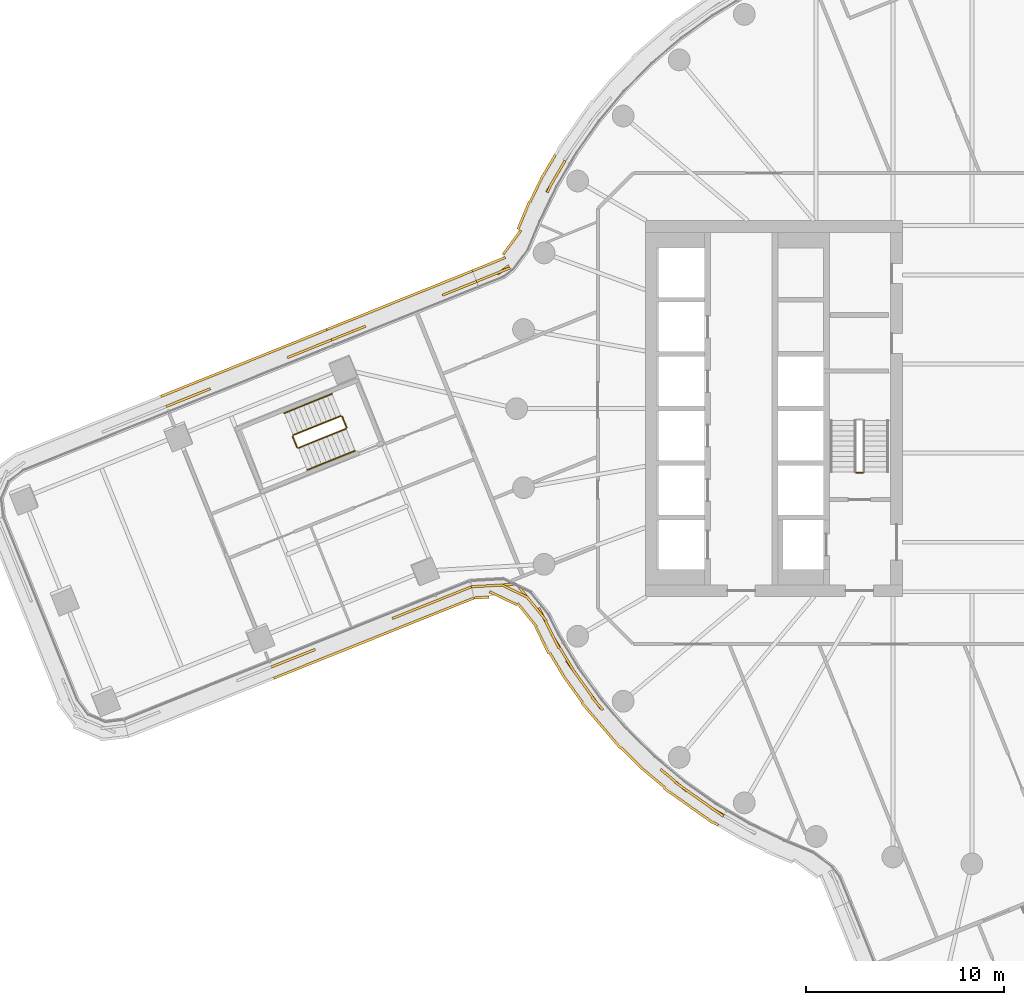
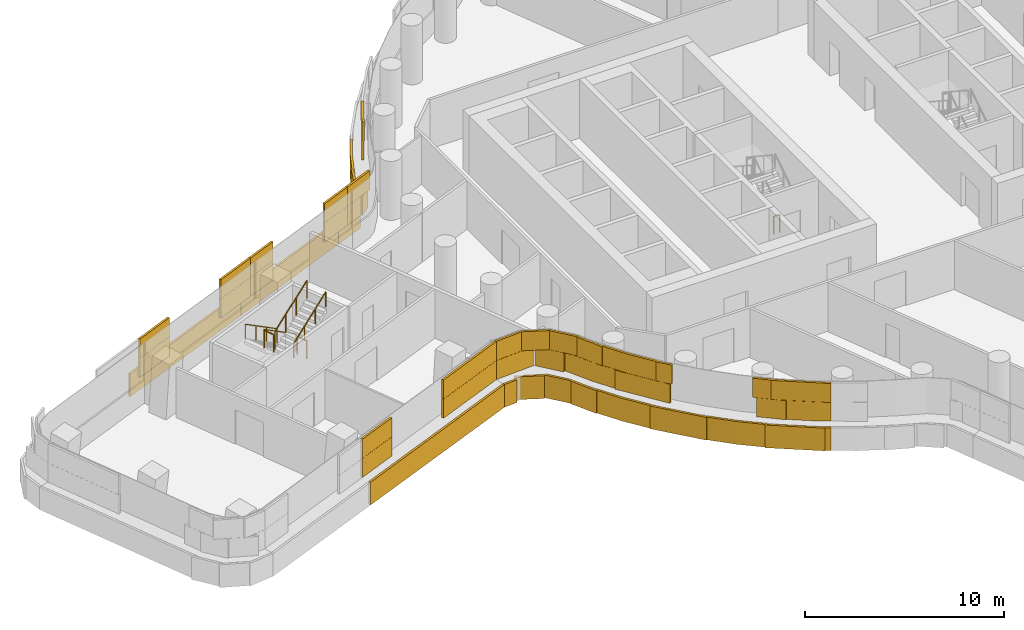
# One storey, part 28 of 32: 7 railings, 5 coverings.
"""IFC4 building model written with IfcOpenShell, lengths in metres."""

import ifcopenshell
import ifcopenshell.guid

model = None  # the IFC model being written
_history = None  # IfcOwnerHistory: only IFC2X3 demands one
_inside = {}  # id of a spatial element -> (the spatial element, [elements in it])
_under = {}  # id of a project, library or spatial element -> (it, [spatial elements below it])
_declared = {}  # id of a project -> (the project, [libraries it declares])
_typed = {}  # id of a type object -> (the type object, [elements of that type])
_made_of = {}  # id of a material, layer set ... -> (it, [elements and type objects made of it])


def new_model(schema):
    """Start an empty IFC model of exactly this schema.

    Asked for "IFC4X3", IfcOpenShell would pick the latest addendum, in which some entities
    have other attributes; the version numbers below select the first issue.
    IFC2X3 requires an IfcOwnerHistory on every rooted entity: one is made here for all.
    """
    global model, _history
    if schema == "IFC4X3":
        model = ifcopenshell.file(schema_version=(4, 3, 0, 0))
    else:
        model = ifcopenshell.file(schema=schema)
    _inside.clear()
    _under.clear()
    _declared.clear()
    _typed.clear()
    _made_of.clear()
    _history = None
    if model.schema == "IFC2X3":
        org = make("IfcOrganization", Name="unknown")
        user = make(
            "IfcPersonAndOrganization",
            ThePerson=make("IfcPerson", FamilyName="unknown"),
            TheOrganization=org,
        )
        app = make(
            "IfcApplication",
            ApplicationDeveloper=org,
            Version="unknown",
            ApplicationFullName="unknown",
            ApplicationIdentifier="unknown",
        )
        _history = make(
            "IfcOwnerHistory",
            OwningUser=user,
            OwningApplication=app,
            ChangeAction="ADDED",
            CreationDate=0,
        )
    return model


def make(cls, **values):
    """One entity of the class cls with the attributes given. An attribute that is None is left unset."""
    return model.create_entity(
        cls, **{name: value for name, value in values.items() if value is not None}
    )


def rooted(cls, **values):
    """An entity with a GlobalId (a new one), such as an element, a storey or a relation."""
    return make(cls, GlobalId=ifcopenshell.guid.new(), OwnerHistory=_history, **values)


def si_unit(unit_type, name, prefix=None):
    """IfcSIUnit, for example si_unit("LENGTHUNIT", "METRE", prefix="MILLI")."""
    return make("IfcSIUnit", UnitType=unit_type, Prefix=prefix, Name=name)


def assignment(units):
    """IfcUnitAssignment: the units of a project."""
    return None if units is None else make("IfcUnitAssignment", Units=units)


def point(xyz):
    """IfcCartesianPoint."""
    return None if xyz is None else make("IfcCartesianPoint", Coordinates=xyz)


def direction(xyz):
    """IfcDirection."""
    return None if xyz is None else make("IfcDirection", DirectionRatios=xyz)


def frame(location, z_axis=None, x_axis=None):
    """IfcAxis2Placement3D, a coordinate frame: its origin and axes. An axis left out is left unset."""
    return make(
        "IfcAxis2Placement3D",
        Location=point(location),
        Axis=direction(z_axis),
        RefDirection=direction(x_axis),
    )


def frame_2d(location, x_axis=None):
    """IfcAxis2Placement2D, a coordinate frame in the plane: its origin and x axis."""
    return make(
        "IfcAxis2Placement2D", Location=point(location), RefDirection=direction(x_axis)
    )


def origin():
    """The frame at (0, 0, 0) with its axes left unset."""
    return frame((0.0, 0.0, 0.0))


def origin_2d():
    """The frame at (0, 0) in the plane with its x axis left unset."""
    return frame_2d((0.0, 0.0))


def place(relative_to, where):
    """IfcLocalPlacement: puts the frame where relative to a parent placement (None: the world)."""
    return make(
        "IfcLocalPlacement", PlacementRelTo=relative_to, RelativePlacement=where
    )


def context(
    kind, dimensions, precision=None, world=None, true_north=None, identifier=None
):
    """IfcGeometricRepresentationContext, for example the 3D "Model" context."""
    return make(
        "IfcGeometricRepresentationContext",
        ContextIdentifier=identifier,
        ContextType=kind,
        CoordinateSpaceDimension=dimensions,
        Precision=precision,
        WorldCoordinateSystem=world,
        TrueNorth=true_north,
    )


def subcontext(parent, identifier, kind, view, scale=None):
    """IfcGeometricRepresentationSubContext, for example "Body" below "Model"."""
    return make(
        "IfcGeometricRepresentationSubContext",
        ContextIdentifier=identifier,
        ContextType=kind,
        ParentContext=parent,
        TargetScale=scale,
        TargetView=view,
    )


def project(units=None, contexts=None):
    """IfcProject with its units and contexts."""
    return rooted(
        "IfcProject",
        Name="project",
        RepresentationContexts=contexts,
        UnitsInContext=assignment(units),
    )


def spatial(cls, under=None, at=None, **own):
    """A site, building, storey or space (cls), placed at a placement, below another one or the project."""
    s = rooted(cls, ObjectPlacement=at, **own)
    if under is not None:
        _under.setdefault(under.id(), (under, []))[1].append(s)
    return s


def profile(cls, at=None, kind="AREA", **sizes):
    """A parametric profile (cls). Its sizes go by their IFC names, for example OverallWidth=200.0."""
    return make(cls, ProfileType=kind, Position=at, **sizes)


def rectangle(**sizes):
    """IfcRectangleProfileDef."""
    return profile("IfcRectangleProfileDef", **sizes)


def circle(**sizes):
    """IfcCircleProfileDef."""
    return profile("IfcCircleProfileDef", **sizes)


def extrude(swept, where, along, depth):
    """IfcExtrudedAreaSolid: the profile swept, set in the frame where, extruded along a direction by depth."""
    return make(
        "IfcExtrudedAreaSolid",
        SweptArea=swept,
        Position=where,
        ExtrudedDirection=direction(along),
        Depth=depth,
    )


def shape(context_of_items, identifier, shape_type, items):
    """IfcShapeRepresentation: the items that make up one representation, for example the "Body"."""
    return make(
        "IfcShapeRepresentation",
        ContextOfItems=context_of_items,
        RepresentationIdentifier=identifier,
        RepresentationType=shape_type,
        Items=items,
    )


def material(Name=None, Category=None):
    """IfcMaterial."""
    return make("IfcMaterial", Name=Name, Category=Category)


def layer(
    of_material, thickness, ventilated=None, Name=None, Category=None, Priority=None
):
    """IfcMaterialLayer: one layer of a wall or slab, of a material (None: an air gap)."""
    return make(
        "IfcMaterialLayer",
        Material=of_material,
        LayerThickness=thickness,
        IsVentilated=ventilated,
        Name=Name,
        Category=Category,
        Priority=Priority,
    )


def layer_set(layers, Name=None):
    """IfcMaterialLayerSet."""
    return make("IfcMaterialLayerSet", MaterialLayers=layers, LayerSetName=Name)


def made_of(thing, what):
    """Note that an element or type object is made of a material, layer set ...; save() writes the relation."""
    if what is not None:
        _made_of.setdefault(what.id(), (what, []))[1].append(thing)
    return thing


def type_object(cls, material=None, **own):
    """A type object (cls), such as IfcWallType, which elements share."""
    return made_of(rooted(cls, **own), material)


def element(
    cls,
    number,
    at=None,
    inside=None,
    cuts=None,
    type_object=None,
    material=None,
    context=None,
    identifier="Body",
    shape_type=None,
    held_by="IfcProductDefinitionShape",
    body=None,
    shapes=None,
    **own,
):
    """One element of the class cls, such as IfcWall. Its Tag is "e" and its number.

    at: its placement. inside: the storey or other place that contains it. cuts: it is an
    opening in that element (IfcRelVoidsElement). A single representation is given by context,
    identifier, shape_type and body (its items); several are given by shapes. held_by: the class
    of the entity that holds the representations. save() writes the other relations.
    """
    e = rooted(cls, Tag="e%d" % number, ObjectPlacement=at, **own)
    if body is not None:
        shapes = [shape(context, identifier, shape_type, body)]
    if shapes is not None:
        e.Representation = make(held_by, Representations=shapes)
    if inside is not None:
        _inside.setdefault(inside.id(), (inside, []))[1].append(e)
    if cuts is not None:
        rooted(
            "IfcRelVoidsElement", RelatingBuildingElement=cuts, RelatedOpeningElement=e
        )
    if type_object is not None:
        _typed.setdefault(type_object.id(), (type_object, []))[1].append(e)
    return made_of(e, material)


def aggregate(whole, parts):
    """IfcRelAggregates: a whole, such as a stair, and the parts it consists of."""
    return rooted("IfcRelAggregates", RelatingObject=whole, RelatedObjects=parts)


def save(model, path):
    """Write the relations noted so far, then the file.

    IfcRelAggregates (storeys below a building ...), IfcRelContainedInSpatialStructure (elements
    in a storey), IfcRelDefinesByType, IfcRelAssociatesMaterial and IfcRelDeclares: one each for
    every whole, place, type object, material and project.
    """
    for whole, parts in _under.values():
        aggregate(whole, parts)
    for where, things in _inside.values():
        rooted(
            "IfcRelContainedInSpatialStructure",
            RelatedElements=things,
            RelatingStructure=where,
        )
    for kind, things in _typed.values():
        rooted("IfcRelDefinesByType", RelatedObjects=things, RelatingType=kind)
    for what, things in _made_of.values():
        rooted("IfcRelAssociatesMaterial", RelatedObjects=things, RelatingMaterial=what)
    for by, libraries in _declared.values():
        rooted("IfcRelDeclares", RelatingContext=by, RelatedDefinitions=libraries)
    model.write(path)


model = new_model("IFC4")

# Units and contexts
model_context = context("Model", 3, precision=1e-05, world=origin(), true_north=direction((0.0, 1.0)))
body_context = subcontext(model_context, "Body", "Model", "MODEL_VIEW")
ifc_project = project(units=[si_unit("LENGTHUNIT", "METRE"), si_unit("AREAUNIT", "SQUARE_METRE"), si_unit("VOLUMEUNIT", "CUBIC_METRE"), si_unit("PLANEANGLEUNIT", "RADIAN"), si_unit("MASSUNIT", "GRAM", prefix="KILO")], contexts=[model_context])

# Site, building, storey
site_placement = place(None, origin())
site = spatial("IfcSite", under=ifc_project, at=site_placement, CompositionType="ELEMENT")
building_placement = place(site_placement, origin())
building = spatial("IfcBuilding", under=site, at=building_placement, Name="Tamarind Cross Interchange Tower", CompositionType="ELEMENT")
storey_placement = place(building_placement, frame((0.0, 0.0, 113.5)))
storey = spatial("IfcBuildingStorey", under=building, at=storey_placement, Name="L27", CompositionType="ELEMENT", Elevation=113.5)

# Railings
ifc_material_1 = material(Name="Stair guard")
railing_type_1 = type_object("IfcRailingType", Name="Stair guard", PredefinedType="GUARDRAIL", material=ifc_material_1)
railing_1_placement = place(storey_placement, frame((-5.5, -3.25, 0.0)))
element("IfcRailing", 1, at=railing_1_placement, inside=storey, type_object=railing_type_1, Name="L27 ST1 stair guard 4", PredefinedType="GUARDRAIL", context=body_context, shape_type="SweptSolid", body=[
    extrude(circle(Radius=0.02392578125, at=origin_2d()), frame((0.0, 0.0, 1.076171875), z_axis=(-1.0, 0.0, 0.0), x_axis=(0.0, -1.0, 0.0)), (0.0, 0.0, 1.0), 0.35009765625),
    extrude(circle(Radius=0.02099609375, at=origin_2d()), origin(), (0.0, 0.0, 1.0), 1.052001953125),
    extrude(circle(Radius=0.02099609375, at=origin_2d()), frame((-0.35009765625, 0.0, 0.0)), (0.0, 0.0, 1.0), 1.052001953125),
])
railing_2_placement = place(storey_placement, frame((-31.878173828125, -0.36767578125, 0.17041015625)))
element("IfcRailing", 2, at=railing_2_placement, inside=storey, type_object=railing_type_1, Name="L27 ST5 stair guard 1", PredefinedType="GUARDRAIL", context=body_context, shape_type="SweptSolid", body=[
    extrude(circle(Radius=0.02392578125, at=origin_2d()), frame((0.0, 0.0, 1.076171875), z_axis=(-0.775716412802, -0.312469690883, 0.548294390988), x_axis=(0.373640019295, -0.927573790047, 0.0)), (0.0, 0.0, 1.0), 3.10888671875),
    extrude(circle(Radius=0.02099609375, at=origin_2d()), origin(), (0.0, 0.0, 1.0), 1.052001953125),
    extrude(circle(Radius=0.02099609375, at=origin_2d()), frame((-0.803955078125, -0.32373046875, 0.568115234375)), (0.0, 0.0, 1.0), 1.052001953125),
    extrude(circle(Radius=0.02099609375, at=origin_2d()), frame((-1.607666015625, -0.647705078125, 1.136474609375)), (0.0, 0.0, 1.0), 1.052001953125),
    extrude(circle(Radius=0.02099609375, at=origin_2d()), frame((-2.41162109375, -0.971435546875, 1.70458984375)), (0.0, 0.0, 1.0), 1.052001953125),
])
railing_3_placement = place(storey_placement, frame((-34.317626953125, -1.404052734375, 1.875)))
element("IfcRailing", 3, at=railing_3_placement, inside=storey, type_object=railing_type_1, Name="L27 ST5 stair guard 2", PredefinedType="GUARDRAIL", context=body_context, shape_type="SweptSolid", body=[
    extrude(circle(Radius=0.02392578125, at=origin_2d()), frame((0.0, 0.0, 1.076171875), z_axis=(0.373844172885, -0.92749152794, 0.0), x_axis=(0.92749152794, 0.373844172885, 0.0)), (0.0, 0.0, 1.0), 0.60009765625),
    extrude(circle(Radius=0.02099609375, at=origin_2d()), origin(), (0.0, 0.0, 1.0), 1.052001953125),
    extrude(circle(Radius=0.02099609375, at=origin_2d()), frame((0.224365234375, -0.556640625, 0.0)), (0.0, 0.0, 1.0), 1.052001953125),
])
railing_4_placement = place(storey_placement, frame((-34.0283203125, -1.98828125, 2.04541015625)))
element("IfcRailing", 4, at=railing_4_placement, inside=storey, type_object=railing_type_1, Name="L27 ST5 stair guard 3", PredefinedType="GUARDRAIL", context=body_context, shape_type="SweptSolid", body=[
    extrude(circle(Radius=0.02392578125, at=origin_2d()), frame((0.0, 0.0, 1.076171875), z_axis=(0.775747685502, 0.312450657011, 0.548260992021), x_axis=(-0.373607477122, 0.927586897837, 0.0)), (0.0, 0.0, 1.0), 3.109130859375),
    extrude(circle(Radius=0.02099609375, at=origin_2d()), origin(), (0.0, 0.0, 1.0), 1.052001953125),
    extrude(circle(Radius=0.02099609375, at=origin_2d()), frame((0.803955078125, 0.32373046875, 0.568115234375)), (0.0, 0.0, 1.0), 1.052001953125),
    extrude(circle(Radius=0.02099609375, at=origin_2d()), frame((1.60791015625, 0.647705078125, 1.136474609375)), (0.0, 0.0, 1.0), 1.052001953125),
    extrude(circle(Radius=0.02099609375, at=origin_2d()), frame((2.411865234375, 0.971435546875, 1.70458984375)), (0.0, 0.0, 1.0), 1.052001953125),
])
railing_5_placement = place(storey_placement, frame((-31.81298828125, -0.395263671875, 0.0)))
element("IfcRailing", 5, at=railing_5_placement, inside=storey, type_object=railing_type_1, Name="L27 ST5 stair guard 4", PredefinedType="GUARDRAIL", context=body_context, shape_type="SweptSolid", body=[
    extrude(circle(Radius=0.02392578125, at=origin_2d()), frame((0.0, 0.0, 1.076171875), z_axis=(0.373494151922, -0.927632534186, 0.0), x_axis=(0.927632534186, 0.373494151922, 0.0)), (0.0, 0.0, 1.0), 0.60009765625),
    extrude(circle(Radius=0.02099609375, at=origin_2d()), origin(), (0.0, 0.0, 1.0), 1.052001953125),
    extrude(circle(Radius=0.02099609375, at=origin_2d()), frame((0.22412109375, -0.556640625, 0.0)), (0.0, 0.0, 1.0), 1.052001953125),
])
ifc_material_2 = material(Name="Stair handrail")
railing_type_2 = type_object("IfcRailingType", Name="Stair handrail", PredefinedType="HANDRAIL", material=ifc_material_2)
railing_6_placement = place(storey_placement, frame((-32.326416015625, 0.74560546875, 0.17041015625)))
element("IfcRailing", 6, at=railing_6_placement, inside=storey, type_object=railing_type_2, Name="L27 ST5 stair handrail 1", PredefinedType="HANDRAIL", context=body_context, shape_type="SweptSolid", body=[
    extrude(circle(Radius=0.02392578125, at=origin_2d()), frame((0.0, 0.0, 0.8759765625), z_axis=(-0.775728650715, -0.312521513295, 0.548247539153), x_axis=(0.373688261611, -0.927554355892, 0.0)), (0.0, 0.0, 1.0), 3.109130859375),
    extrude(circle(Radius=0.02099609375, at=origin_2d()), origin(), (0.0, 0.0, 1.0), 0.851806640625),
    extrude(circle(Radius=0.02099609375, at=origin_2d()), frame((-0.803955078125, -0.323974609375, 0.568115234375)), (0.0, 0.0, 1.0), 0.851806640625),
    extrude(circle(Radius=0.02099609375, at=origin_2d()), frame((-1.60791015625, -0.647705078125, 1.136474609375)), (0.0, 0.0, 1.0), 0.851806640625),
    extrude(circle(Radius=0.02099609375, at=origin_2d()), frame((-2.411865234375, -0.9716796875, 1.70458984375)), (0.0, 0.0, 1.0), 0.851806640625),
])
railing_7_placement = place(storey_placement, frame((-33.579833984375, -3.101318359375, 2.04541015625)))
element("IfcRailing", 7, at=railing_7_placement, inside=storey, type_object=railing_type_2, Name="L27 ST5 stair handrail 2", PredefinedType="HANDRAIL", context=body_context, shape_type="SweptSolid", body=[
    extrude(circle(Radius=0.02392578125, at=origin_2d()), frame((0.0, 0.0, 0.8759765625), z_axis=(0.775716412802, 0.312469690883, 0.548294390988), x_axis=(-0.373640019295, 0.927573790047, 0.0)), (0.0, 0.0, 1.0), 3.10888671875),
    extrude(circle(Radius=0.02099609375, at=origin_2d()), origin(), (0.0, 0.0, 1.0), 0.851806640625),
    extrude(circle(Radius=0.02099609375, at=origin_2d()), frame((0.803955078125, 0.32373046875, 0.568115234375)), (0.0, 0.0, 1.0), 0.851806640625),
    extrude(circle(Radius=0.02099609375, at=origin_2d()), frame((1.607666015625, 0.647705078125, 1.136474609375)), (0.0, 0.0, 1.0), 0.851806640625),
    extrude(circle(Radius=0.02099609375, at=origin_2d()), frame((2.41162109375, 0.971435546875, 1.70458984375)), (0.0, 0.0, 1.0), 0.851806640625),
])

# Coverings
ifc_material_3 = material(Name="Terracotta", Category="masonry")
ifc_layer = layer(ifc_material_3, 0.1201171875)
ifc_layer_set = layer_set([ifc_layer], Name="Terracotta")
covering_type = type_object("IfcCoveringType", Name="Terracotta baguette screen unit", PredefinedType="MOLDING", material=ifc_layer_set)
covering_1_placement = place(storey_placement, origin())
element("IfcCovering", 8, at=covering_1_placement, inside=storey, type_object=covering_type, Name="SCR-L27-01-01", PredefinedType="MOLDING", context=body_context, shape_type="SweptSolid", body=[
    extrude(rectangle(XDim=0.340576171875, YDim=0.1201171875, at=origin_2d()), frame((-35.251708984375, -12.99609375, 1.404052734375), z_axis=(0.0, 0.0, 1.0), x_axis=(0.928182933401, 0.372124229448, 0.0)), (0.0, 0.0, 1.0), 1.1669921875),
    extrude(rectangle(XDim=1.52001953125, YDim=0.1201171875, at=origin_2d()), frame((-34.402099609375, -12.655517578125, 1.404052734375), z_axis=(0.0, 0.0, 1.0), x_axis=(0.928182933401, 0.372124229448, 0.0)), (0.0, 0.0, 1.0), 1.1669921875),
    extrude(rectangle(XDim=0.57861328125, YDim=0.1201171875, at=origin_2d()), frame((-33.442138671875, -12.2705078125, 1.404052734375), z_axis=(0.0, 0.0, 1.0), x_axis=(0.928182933401, 0.372124229448, 0.0)), (0.0, 0.0, 1.0), 1.1669921875),
    extrude(rectangle(XDim=1.241455078125, YDim=0.1201171875, at=origin_2d()), frame((-28.708251953125, -10.372802734375, 1.404052734375), z_axis=(0.0, 0.0, 1.0), x_axis=(0.928182933401, 0.372124229448, 0.0)), (0.0, 0.0, 1.0), 1.1669921875),
    extrude(rectangle(XDim=1.52001953125, YDim=0.1201171875, at=origin_2d()), frame((-27.440673828125, -9.864501953125, 1.404052734375), z_axis=(0.0, 0.0, 1.0), x_axis=(0.928182933401, 0.372124229448, 0.0)), (0.0, 0.0, 1.0), 1.1669921875),
    extrude(rectangle(XDim=1.52001953125, YDim=0.1201171875, at=origin_2d()), frame((-26.048583984375, -9.306396484375, 1.404052734375), z_axis=(0.0, 0.0, 1.0), x_axis=(0.928182933401, 0.372124229448, 0.0)), (0.0, 0.0, 1.0), 1.1669921875),
    extrude(rectangle(XDim=0.084228515625, YDim=0.1201171875, at=origin_2d()), frame((-25.31787109375, -9.013427734375, 1.404052734375), z_axis=(0.0, 0.0, 1.0), x_axis=(0.928182933401, 0.372124229448, 0.0)), (0.0, 0.0, 1.0), 1.1669921875),
    extrude(rectangle(XDim=1.090576171875, YDim=0.1201171875, at=origin_2d()), frame((-34.903564453125, -12.8564453125, 2.5791015625), z_axis=(0.0, 0.0, 1.0), x_axis=(0.928182933401, 0.372124229448, 0.0)), (0.0, 0.0, 1.0), 1.1669921875),
    extrude(rectangle(XDim=1.32861328125, YDim=0.1201171875, at=origin_2d()), frame((-33.790283203125, -12.41015625, 2.5791015625), z_axis=(0.0, 0.0, 1.0), x_axis=(0.928182933401, 0.372124229448, 0.0)), (0.0, 0.0, 1.0), 1.1669921875),
    extrude(rectangle(XDim=0.491455078125, YDim=0.1201171875, at=origin_2d()), frame((-29.056396484375, -10.51220703125, 2.5791015625), z_axis=(0.0, 0.0, 1.0), x_axis=(0.928182933401, 0.372124229448, 0.0)), (0.0, 0.0, 1.0), 1.1669921875),
    extrude(rectangle(XDim=1.52001953125, YDim=0.1201171875, at=origin_2d()), frame((-28.136962890625, -10.1435546875, 2.5791015625), z_axis=(0.0, 0.0, 1.0), x_axis=(0.928182933401, 0.372124229448, 0.0)), (0.0, 0.0, 1.0), 1.1669921875),
    extrude(rectangle(XDim=1.52001953125, YDim=0.1201171875, at=origin_2d()), frame((-26.74462890625, -9.58544921875, 2.5791015625), z_axis=(0.0, 0.0, 1.0), x_axis=(0.928182933401, 0.372124229448, 0.0)), (0.0, 0.0, 1.0), 1.1669921875),
    extrude(rectangle(XDim=0.834228515625, YDim=0.1201171875, at=origin_2d()), frame((-25.666015625, -9.15283203125, 2.5791015625), z_axis=(0.0, 0.0, 1.0), x_axis=(0.928182933401, 0.372124229448, 0.0)), (0.0, 0.0, 1.0), 1.1669921875),
    extrude(rectangle(XDim=0.3486328125, YDim=0.1201171875, at=origin_2d()), frame((-35.10693359375, -13.556396484375, 0.00390625), z_axis=(0.0, 0.0, 1.0), x_axis=(0.928182933401, 0.372124229448, 0.0)), (0.0, 0.0, 1.0), 1.39208984375),
    extrude(rectangle(XDim=1.52001953125, YDim=0.1201171875, at=origin_2d()), frame((-34.25830078125, -13.216064453125, 0.00390625), z_axis=(0.0, 0.0, 1.0), x_axis=(0.928182933401, 0.372124229448, 0.0)), (0.0, 0.0, 1.0), 1.39208984375),
    extrude(rectangle(XDim=1.52001953125, YDim=0.1201171875, at=origin_2d()), frame((-32.865966796875, -12.657958984375, 0.00390625), z_axis=(0.0, 0.0, 1.0), x_axis=(0.928182933401, 0.372124229448, 0.0)), (0.0, 0.0, 1.0), 1.39208984375),
    extrude(rectangle(XDim=1.52001953125, YDim=0.1201171875, at=origin_2d()), frame((-31.4736328125, -12.099853515625, 0.00390625), z_axis=(0.0, 0.0, 1.0), x_axis=(0.928182933401, 0.372124229448, 0.0)), (0.0, 0.0, 1.0), 1.39208984375),
    extrude(rectangle(XDim=1.52001953125, YDim=0.1201171875, at=origin_2d()), frame((-30.081298828125, -11.54150390625, 0.00390625), z_axis=(0.0, 0.0, 1.0), x_axis=(0.928182933401, 0.372124229448, 0.0)), (0.0, 0.0, 1.0), 1.39208984375),
    extrude(rectangle(XDim=1.52001953125, YDim=0.1201171875, at=origin_2d()), frame((-28.689208984375, -10.9833984375, 0.00390625), z_axis=(0.0, 0.0, 1.0), x_axis=(0.928182933401, 0.372124229448, 0.0)), (0.0, 0.0, 1.0), 1.39208984375),
    extrude(rectangle(XDim=1.52001953125, YDim=0.1201171875, at=origin_2d()), frame((-27.296875, -10.42529296875, 0.00390625), z_axis=(0.0, 0.0, 1.0), x_axis=(0.928182933401, 0.372124229448, 0.0)), (0.0, 0.0, 1.0), 1.39208984375),
    extrude(rectangle(XDim=1.52001953125, YDim=0.1201171875, at=origin_2d()), frame((-25.904541015625, -9.866943359375, 0.00390625), z_axis=(0.0, 0.0, 1.0), x_axis=(0.928182933401, 0.372124229448, 0.0)), (0.0, 0.0, 1.0), 1.39208984375),
    extrude(rectangle(XDim=0.0654296875, YDim=0.1201171875, at=origin_2d()), frame((-25.187255859375, -9.57958984375, 0.00390625), z_axis=(0.0, 0.0, 1.0), x_axis=(0.928182933401, 0.372124229448, 0.0)), (0.0, 0.0, 1.0), 1.39208984375),
])
covering_2_placement = place(storey_placement, origin())
element("IfcCovering", 9, at=covering_2_placement, inside=storey, type_object=covering_type, Name="SCR-L27-02-00", PredefinedType="MOLDING", context=body_context, shape_type="SweptSolid", body=[
    extrude(rectangle(XDim=0.760009765625, YDim=0.1201171875, at=origin_2d()), frame((-24.908935546875, -8.978271484375, 1.404052734375), z_axis=(0.0, 0.0, 1.0), x_axis=(0.998374190932, 0.056999779649, 0.0)), (0.0, 0.0, 1.0), 1.1669921875),
    extrude(rectangle(XDim=1.52001953125, YDim=0.1201171875, at=origin_2d()), frame((-23.785888671875, -8.9140625, 1.404052734375), z_axis=(0.0, 0.0, 1.0), x_axis=(0.998374190932, 0.056999779649, 0.0)), (0.0, 0.0, 1.0), 1.1669921875),
    extrude(rectangle(XDim=1.52001953125, YDim=0.1201171875, at=origin_2d()), frame((-22.441162109375, -9.556884765625, 1.404052734375), z_axis=(0.0, 0.0, 1.0), x_axis=(0.630112664409, -0.776503721917, 0.0)), (0.0, 0.0, 1.0), 1.1669921875),
    extrude(rectangle(XDim=1.52001953125, YDim=0.1201171875, at=origin_2d()), frame((-21.535888671875, -10.747314453125, 1.404052734375), z_axis=(0.0, 0.0, 1.0), x_axis=(0.446000201042, -0.895032860107, 0.0)), (0.0, 0.0, 1.0), 1.1669921875),
    extrude(rectangle(XDim=1.52001953125, YDim=0.1201171875, at=origin_2d()), frame((-20.8251953125, -12.067138671875, 1.404052734375), z_axis=(0.0, 0.0, 1.0), x_axis=(0.515577308909, -0.856843065292, 0.0)), (0.0, 0.0, 1.0), 1.1669921875),
    extrude(rectangle(XDim=1.52001953125, YDim=0.1201171875, at=origin_2d()), frame((-20.04443359375, -13.347412109375, 1.404052734375), z_axis=(0.0, 0.0, 1.0), x_axis=(0.584573890505, -0.811340475102, 0.0)), (0.0, 0.0, 1.0), 1.1669921875),
    extrude(rectangle(XDim=1.52001953125, YDim=0.1201171875, at=origin_2d()), frame((-19.167724609375, -14.564453125, 1.404052734375), z_axis=(0.0, 0.0, 1.0), x_axis=(0.584573890505, -0.811340475102, 0.0)), (0.0, 0.0, 1.0), 1.1669921875),
    extrude(rectangle(XDim=1.52001953125, YDim=0.1201171875, at=origin_2d()), frame((-14.984375, -18.842041015625, 1.404052734375), z_axis=(0.0, 0.0, 1.0), x_axis=(0.765858396687, -0.643009266048, 0.0)), (0.0, 0.0, 1.0), 1.1669921875),
    extrude(rectangle(XDim=1.52001953125, YDim=0.1201171875, at=origin_2d()), frame((-13.77783203125, -19.731689453125, 1.404052734375), z_axis=(0.0, 0.0, 1.0), x_axis=(0.816341886298, -0.577568978284, 0.0)), (0.0, 0.0, 1.0), 1.1669921875),
    extrude(rectangle(XDim=0.7685546875, YDim=0.1201171875, at=origin_2d()), frame((-12.84326171875, -20.3642578125, 1.404052734375), z_axis=(0.0, 0.0, 1.0), x_axis=(0.861248933065, -0.508183308752, 0.0)), (0.0, 0.0, 1.0), 1.1669921875),
    extrude(rectangle(XDim=1.510009765625, YDim=0.1201171875, at=origin_2d()), frame((-24.53466796875, -8.956787109375, 2.5791015625), z_axis=(0.0, 0.0, 1.0), x_axis=(0.998374190932, 0.056999779649, 0.0)), (0.0, 0.0, 1.0), 1.1669921875),
    extrude(rectangle(XDim=1.52001953125, YDim=0.1201171875, at=origin_2d()), frame((-23.10595703125, -9.217529296875, 2.5791015625), z_axis=(0.0, 0.0, 1.0), x_axis=(0.900786738544, -0.434261731752, 0.0)), (0.0, 0.0, 1.0), 1.1669921875),
    extrude(rectangle(XDim=1.52001953125, YDim=0.1201171875, at=origin_2d()), frame((-21.968505859375, -10.139404296875, 2.5791015625), z_axis=(0.0, 0.0, 1.0), x_axis=(0.630112664409, -0.776503721917, 0.0)), (0.0, 0.0, 1.0), 1.1669921875),
    extrude(rectangle(XDim=1.52001953125, YDim=0.1201171875, at=origin_2d()), frame((-21.201416015625, -11.418701171875, 2.5791015625), z_axis=(0.0, 0.0, 1.0), x_axis=(0.446000201042, -0.895032860107, 0.0)), (0.0, 0.0, 1.0), 1.1669921875),
    extrude(rectangle(XDim=1.52001953125, YDim=0.1201171875, at=origin_2d()), frame((-20.4384765625, -12.709716796875, 2.5791015625), z_axis=(0.0, 0.0, 1.0), x_axis=(0.515577308909, -0.856843065292, 0.0)), (0.0, 0.0, 1.0), 1.1669921875),
    extrude(rectangle(XDim=1.52001953125, YDim=0.1201171875, at=origin_2d()), frame((-19.60595703125, -13.9560546875, 2.5791015625), z_axis=(0.0, 0.0, 1.0), x_axis=(0.584573890505, -0.811340475102, 0.0)), (0.0, 0.0, 1.0), 1.1669921875),
    extrude(rectangle(XDim=0.85009765625, YDim=0.1201171875, at=origin_2d()), frame((-18.919677734375, -14.9033203125, 2.5791015625), z_axis=(0.0, 0.0, 1.0), x_axis=(0.64957723968, -0.760295606781, 0.0)), (0.0, 0.0, 1.0), 1.1669921875),
    extrude(rectangle(XDim=0.969970703125, YDim=0.1201171875, at=origin_2d()), frame((-15.35205078125, -18.533447265625, 2.5791015625), z_axis=(0.0, 0.0, 1.0), x_axis=(0.765858396687, -0.643009266048, 0.0)), (0.0, 0.0, 1.0), 1.1669921875),
    extrude(rectangle(XDim=1.52001953125, YDim=0.1201171875, at=origin_2d()), frame((-14.39013671875, -19.298583984375, 2.5791015625), z_axis=(0.0, 0.0, 1.0), x_axis=(0.816341886298, -0.577568978284, 0.0)), (0.0, 0.0, 1.0), 1.1669921875),
    extrude(rectangle(XDim=1.52001953125, YDim=0.1201171875, at=origin_2d()), frame((-13.16552734375, -20.164794921875, 2.5791015625), z_axis=(0.0, 0.0, 1.0), x_axis=(0.816341886298, -0.577568978284, 0.0)), (0.0, 0.0, 1.0), 1.1669921875),
    extrude(rectangle(XDim=0.760009765625, YDim=0.1201171875, at=origin_2d()), frame((-24.777587890625, -9.545654296875, 0.00390625), z_axis=(0.0, 0.0, 1.0), x_axis=(0.998374190932, 0.056999779649, 0.0)), (0.0, 0.0, 1.0), 1.39208984375),
    extrude(rectangle(XDim=1.52001953125, YDim=0.1201171875, at=origin_2d()), frame((-23.6787109375, -9.57861328125, 0.00390625), z_axis=(0.0, 0.0, 1.0), x_axis=(0.900786738544, -0.434261731752, 0.0)), (0.0, 0.0, 1.0), 1.39208984375),
    extrude(rectangle(XDim=1.52001953125, YDim=0.1201171875, at=origin_2d()), frame((-22.478759765625, -10.42138671875, 0.00390625), z_axis=(0.0, 0.0, 1.0), x_axis=(0.630112664409, -0.776503721917, 0.0)), (0.0, 0.0, 1.0), 1.39208984375),
    extrude(rectangle(XDim=1.52001953125, YDim=0.1201171875, at=origin_2d()), frame((-21.704345703125, -11.696044921875, 0.00390625), z_axis=(0.0, 0.0, 1.0), x_axis=(0.446000201042, -0.895032860107, 0.0)), (0.0, 0.0, 1.0), 1.39208984375),
    extrude(rectangle(XDim=1.52001953125, YDim=0.1201171875, at=origin_2d()), frame((-20.941650390625, -12.987060546875, 0.00390625), z_axis=(0.0, 0.0, 1.0), x_axis=(0.515577308909, -0.856843065292, 0.0)), (0.0, 0.0, 1.0), 1.39208984375),
    extrude(rectangle(XDim=1.52001953125, YDim=0.1201171875, at=origin_2d()), frame((-20.112060546875, -14.2353515625, 0.00390625), z_axis=(0.0, 0.0, 1.0), x_axis=(0.584573890505, -0.811340475102, 0.0)), (0.0, 0.0, 1.0), 1.39208984375),
    extrude(rectangle(XDim=1.52001953125, YDim=0.1201171875, at=origin_2d()), frame((-19.217529296875, -15.4384765625, 0.00390625), z_axis=(0.0, 0.0, 1.0), x_axis=(0.64957723968, -0.760295606781, 0.0)), (0.0, 0.0, 1.0), 1.39208984375),
    extrude(rectangle(XDim=1.52001953125, YDim=0.1201171875, at=origin_2d()), frame((-18.2431640625, -16.578857421875, 0.00390625), z_axis=(0.0, 0.0, 1.0), x_axis=(0.64957723968, -0.760295606781, 0.0)), (0.0, 0.0, 1.0), 1.39208984375),
    extrude(rectangle(XDim=1.52001953125, YDim=0.1201171875, at=origin_2d()), frame((-17.19384765625, -17.64990234375, 0.00390625), z_axis=(0.0, 0.0, 1.0), x_axis=(0.710143317658, -0.704057148523, 0.0)), (0.0, 0.0, 1.0), 1.39208984375),
    extrude(rectangle(XDim=1.52001953125, YDim=0.1201171875, at=origin_2d()), frame((-16.08984375, -18.663330078125, 0.00390625), z_axis=(0.0, 0.0, 1.0), x_axis=(0.765858396687, -0.643009266048, 0.0)), (0.0, 0.0, 1.0), 1.39208984375),
    extrude(rectangle(XDim=1.52001953125, YDim=0.1201171875, at=origin_2d()), frame((-14.93310546875, -19.617431640625, 0.00390625), z_axis=(0.0, 0.0, 1.0), x_axis=(0.816341886298, -0.577568978284, 0.0)), (0.0, 0.0, 1.0), 1.39208984375),
    extrude(rectangle(XDim=1.52001953125, YDim=0.1201171875, at=origin_2d()), frame((-13.70849609375, -20.48388671875, 0.00390625), z_axis=(0.0, 0.0, 1.0), x_axis=(0.816341886298, -0.577568978284, 0.0)), (0.0, 0.0, 1.0), 1.39208984375),
    extrude(rectangle(XDim=0.317138671875, YDim=0.1201171875, at=origin_2d()), frame((-12.95166015625, -20.966796875, 0.00390625), z_axis=(0.0, 0.0, 1.0), x_axis=(0.861248933065, -0.508183308752, 0.0)), (0.0, 0.0, 1.0), 1.39208984375),
])
covering_3_placement = place(storey_placement, origin())
element("IfcCovering", 10, at=covering_3_placement, inside=storey, type_object=covering_type, Name="SCR-L27-14-01", PredefinedType="MOLDING", context=body_context, shape_type="SweptSolid", body=[
    extrude(rectangle(XDim=0.75146484375, YDim=0.1201171875, at=origin_2d()), frame((-20.745361328125, 12.197265625, 1.404052734375), z_axis=(0.0, 0.0, 1.0), x_axis=(-0.508183308752, -0.861248933065, 0.0)), (0.0, 0.0, 1.0), 1.1669921875),
    extrude(rectangle(XDim=1.095703125, YDim=0.1201171875, at=origin_2d()), frame((-21.209716796875, 11.410400390625, 1.404052734375), z_axis=(0.0, 0.0, 1.0), x_axis=(-0.508183308752, -0.861248933065, 0.0)), (0.0, 0.0, 1.0), 1.1669921875),
    extrude(rectangle(XDim=0.72412109375, YDim=0.1201171875, at=origin_2d()), frame((-23.678955078125, 7.0087890625, 1.404052734375), z_axis=(0.0, 0.0, 1.0), x_axis=(-0.790021221681, -0.613079496716, 0.0)), (0.0, 0.0, 1.0), 1.1669921875),
    extrude(rectangle(XDim=1.123046875, YDim=0.1201171875, at=origin_2d()), frame((-24.508056640625, 6.635009765625, 1.404052734375), z_axis=(0.0, 0.0, 1.0), x_axis=(-0.926429596156, -0.376468064205, 0.0)), (0.0, 0.0, 1.0), 1.1669921875),
    extrude(rectangle(XDim=1.50146484375, YDim=0.1201171875, at=origin_2d()), frame((-20.93603515625, 11.874267578125, 2.5791015625), z_axis=(0.0, 0.0, 1.0), x_axis=(-0.508183308752, -0.861248933065, 0.0)), (0.0, 0.0, 1.0), 1.1669921875),
    extrude(rectangle(XDim=0.345703125, YDim=0.1201171875, at=origin_2d()), frame((-21.376220703125, 11.074462890625, 2.5791015625), z_axis=(0.0, 0.0, 1.0), x_axis=(-0.435326231914, -0.900272776334, 0.0)), (0.0, 0.0, 1.0), 1.1669921875),
    extrude(rectangle(XDim=1.47412109375, YDim=0.1201171875, at=origin_2d()), frame((-24.00927734375, 6.837890625, 2.5791015625), z_axis=(0.0, 0.0, 1.0), x_axis=(-0.926429596156, -0.376468064205, 0.0)), (0.0, 0.0, 1.0), 1.1669921875),
    extrude(rectangle(XDim=0.373046875, YDim=0.1201171875, at=origin_2d()), frame((-24.85546875, 6.493896484375, 2.5791015625), z_axis=(0.0, 0.0, 1.0), x_axis=(-0.926429596156, -0.376468064205, 0.0)), (0.0, 0.0, 1.0), 1.1669921875),
    extrude(rectangle(XDim=1.202880859375, YDim=0.1201171875, at=origin_2d()), frame((-21.35302734375, 12.297119140625, 0.00390625), z_axis=(0.0, 0.0, 1.0), x_axis=(-0.508183308752, -0.861248933065, 0.0)), (0.0, 0.0, 1.0), 1.39208984375),
    extrude(rectangle(XDim=1.52001953125, YDim=0.1201171875, at=origin_2d()), frame((-21.9921875, 11.119140625, 0.00390625), z_axis=(0.0, 0.0, 1.0), x_axis=(-0.435326231914, -0.900272776334, 0.0)), (0.0, 0.0, 1.0), 1.39208984375),
    extrude(rectangle(XDim=1.52001953125, YDim=0.1201171875, at=origin_2d()), frame((-22.642578125, 9.767578125, 0.00390625), z_axis=(0.0, 0.0, 1.0), x_axis=(-0.385196464244, -0.92283459186, 0.0)), (0.0, 0.0, 1.0), 1.39208984375),
    extrude(rectangle(XDim=1.52001953125, YDim=0.1201171875, at=origin_2d()), frame((-23.23779296875, 8.393310546875, 0.00390625), z_axis=(0.0, 0.0, 1.0), x_axis=(-0.59834756437, -0.801236664296, 0.0)), (0.0, 0.0, 1.0), 1.39208984375),
    extrude(rectangle(XDim=1.52001953125, YDim=0.1201171875, at=origin_2d()), frame((-24.273681640625, 7.349853515625, 0.00390625), z_axis=(0.0, 0.0, 1.0), x_axis=(-0.926429596156, -0.376468064205, 0.0)), (0.0, 0.0, 1.0), 1.39208984375),
    extrude(rectangle(XDim=0.302001953125, YDim=0.1201171875, at=origin_2d()), frame((-25.09912109375, 7.0146484375, 0.00390625), z_axis=(0.0, 0.0, 1.0), x_axis=(-0.926429596156, -0.376468064205, 0.0)), (0.0, 0.0, 1.0), 1.39208984375),
])
covering_4_placement = place(storey_placement, origin())
element("IfcCovering", 11, at=covering_4_placement, inside=storey, type_object=covering_type, Name="SCR-L27-15-00", PredefinedType="MOLDING", context=body_context, shape_type="SweptSolid", body=[
    extrude(rectangle(XDim=0.760009765625, YDim=0.1201171875, at=origin_2d()), frame((-25.37158203125, 6.285400390625, 1.404052734375), z_axis=(0.0, 0.0, 1.0), x_axis=(-0.927570416192, -0.373648394893, 0.0)), (0.0, 0.0, 1.0), 1.1669921875),
    extrude(rectangle(XDim=1.110107421875, YDim=0.1201171875, at=origin_2d()), frame((-26.2294921875, 5.93994140625, 1.404052734375), z_axis=(0.0, 0.0, 1.0), x_axis=(-0.927570416192, -0.373648394893, 0.0)), (0.0, 0.0, 1.0), 1.1669921875),
    extrude(rectangle(XDim=0.7099609375, YDim=0.1201171875, at=origin_2d()), frame((-30.960205078125, 4.0341796875, 1.404052734375), z_axis=(0.0, 0.0, 1.0), x_axis=(-0.927570416192, -0.373648394893, 0.0)), (0.0, 0.0, 1.0), 1.1669921875),
    extrude(rectangle(XDim=1.159912109375, YDim=0.1201171875, at=origin_2d()), frame((-31.818115234375, 3.688720703125, 1.404052734375), z_axis=(0.0, 0.0, 1.0), x_axis=(-0.927570416192, -0.373648394893, 0.0)), (0.0, 0.0, 1.0), 1.1669921875),
    extrude(rectangle(XDim=1.510009765625, YDim=0.1201171875, at=origin_2d()), frame((-25.719482421875, 6.145263671875, 2.5791015625), z_axis=(0.0, 0.0, 1.0), x_axis=(-0.927570416192, -0.373648394893, 0.0)), (0.0, 0.0, 1.0), 1.1669921875),
    extrude(rectangle(XDim=0.360107421875, YDim=0.1201171875, at=origin_2d()), frame((-26.577392578125, 5.7998046875, 2.5791015625), z_axis=(0.0, 0.0, 1.0), x_axis=(-0.927570416192, -0.373648394893, 0.0)), (0.0, 0.0, 1.0), 1.1669921875),
    extrude(rectangle(XDim=1.4599609375, YDim=0.1201171875, at=origin_2d()), frame((-31.30810546875, 3.89404296875, 2.5791015625), z_axis=(0.0, 0.0, 1.0), x_axis=(-0.927570416192, -0.373648394893, 0.0)), (0.0, 0.0, 1.0), 1.1669921875),
    extrude(rectangle(XDim=0.409912109375, YDim=0.1201171875, at=origin_2d()), frame((-32.166015625, 3.548583984375, 2.5791015625), z_axis=(0.0, 0.0, 1.0), x_axis=(-0.927570416192, -0.373648394893, 0.0)), (0.0, 0.0, 1.0), 1.1669921875),
    extrude(rectangle(XDim=0.760009765625, YDim=0.1201171875, at=origin_2d()), frame((-25.591552734375, 6.815673828125, 0.00390625), z_axis=(0.0, 0.0, 1.0), x_axis=(-0.927570416192, -0.373648394893, 0.0)), (0.0, 0.0, 1.0), 1.39208984375),
    extrude(rectangle(XDim=1.52001953125, YDim=0.1201171875, at=origin_2d()), frame((-26.63037109375, 6.397216796875, 0.00390625), z_axis=(0.0, 0.0, 1.0), x_axis=(-0.927570416192, -0.373648394893, 0.0)), (0.0, 0.0, 1.0), 1.39208984375),
    extrude(rectangle(XDim=1.52001953125, YDim=0.1201171875, at=origin_2d()), frame((-28.021728515625, 5.836669921875, 0.00390625), z_axis=(0.0, 0.0, 1.0), x_axis=(-0.927570416192, -0.373648394893, 0.0)), (0.0, 0.0, 1.0), 1.39208984375),
    extrude(rectangle(XDim=1.52001953125, YDim=0.1201171875, at=origin_2d()), frame((-29.4130859375, 5.2763671875, 0.00390625), z_axis=(0.0, 0.0, 1.0), x_axis=(-0.927570416192, -0.373648394893, 0.0)), (0.0, 0.0, 1.0), 1.39208984375),
    extrude(rectangle(XDim=1.52001953125, YDim=0.1201171875, at=origin_2d()), frame((-30.804443359375, 4.7158203125, 0.00390625), z_axis=(0.0, 0.0, 1.0), x_axis=(-0.927570416192, -0.373648394893, 0.0)), (0.0, 0.0, 1.0), 1.39208984375),
    extrude(rectangle(XDim=1.183837890625, YDim=0.1201171875, at=origin_2d()), frame((-32.039794921875, 4.218017578125, 0.00390625), z_axis=(0.0, 0.0, 1.0), x_axis=(-0.927570416192, -0.373648394893, 0.0)), (0.0, 0.0, 1.0), 1.39208984375),
])
covering_5_placement = place(storey_placement, origin())
element("IfcCovering", 12, at=covering_5_placement, inside=storey, type_object=covering_type, Name="SCR-L27-15-01", PredefinedType="MOLDING", context=body_context, shape_type="SweptSolid", body=[
    extrude(rectangle(XDim=0.35986328125, YDim=0.1201171875, at=origin_2d()), frame((-32.513916015625, 3.408447265625, 1.404052734375), z_axis=(0.0, 0.0, 1.0), x_axis=(-0.927570416192, -0.373648394893, 0.0)), (0.0, 0.0, 1.0), 1.1669921875),
    extrude(rectangle(XDim=1.52001953125, YDim=0.1201171875, at=origin_2d()), frame((-33.371826171875, 3.062744140625, 1.404052734375), z_axis=(0.0, 0.0, 1.0), x_axis=(-0.927570416192, -0.373648394893, 0.0)), (0.0, 0.0, 1.0), 1.1669921875),
    extrude(rectangle(XDim=0.562255859375, YDim=0.1201171875, at=origin_2d()), frame((-34.32373046875, 2.679443359375, 1.404052734375), z_axis=(0.0, 0.0, 1.0), x_axis=(-0.927570416192, -0.373648394893, 0.0)), (0.0, 0.0, 1.0), 1.1669921875),
    extrude(rectangle(XDim=1.2578125, YDim=0.1201171875, at=origin_2d()), frame((-39.05419921875, 0.773681640625, 1.404052734375), z_axis=(0.0, 0.0, 1.0), x_axis=(-0.927570416192, -0.373648394893, 0.0)), (0.0, 0.0, 1.0), 1.1669921875),
    extrude(rectangle(XDim=1.164306640625, YDim=0.1201171875, at=origin_2d()), frame((-40.168212890625, 0.324951171875, 1.404052734375), z_axis=(0.0, 0.0, 1.0), x_axis=(-0.927570416192, -0.373648394893, 0.0)), (0.0, 0.0, 1.0), 1.1669921875),
    extrude(rectangle(XDim=1.10986328125, YDim=0.1201171875, at=origin_2d()), frame((-32.86181640625, 3.268310546875, 2.5791015625), z_axis=(0.0, 0.0, 1.0), x_axis=(-0.927570416192, -0.373648394893, 0.0)), (0.0, 0.0, 1.0), 1.1669921875),
    extrude(rectangle(XDim=1.312255859375, YDim=0.1201171875, at=origin_2d()), frame((-33.975830078125, 2.819580078125, 2.5791015625), z_axis=(0.0, 0.0, 1.0), x_axis=(-0.927570416192, -0.373648394893, 0.0)), (0.0, 0.0, 1.0), 1.1669921875),
    extrude(rectangle(XDim=0.5078125, YDim=0.1201171875, at=origin_2d()), frame((-38.706298828125, 0.913818359375, 2.5791015625), z_axis=(0.0, 0.0, 1.0), x_axis=(-0.927570416192, -0.373648394893, 0.0)), (0.0, 0.0, 1.0), 1.1669921875),
    extrude(rectangle(XDim=1.52001953125, YDim=0.1201171875, at=origin_2d()), frame((-39.633056640625, 0.54052734375, 2.5791015625), z_axis=(0.0, 0.0, 1.0), x_axis=(-0.927570416192, -0.373648394893, 0.0)), (0.0, 0.0, 1.0), 1.1669921875),
    extrude(rectangle(XDim=0.414306640625, YDim=0.1201171875, at=origin_2d()), frame((-40.51611328125, 0.184814453125, 2.5791015625), z_axis=(0.0, 0.0, 1.0), x_axis=(-0.927570416192, -0.373648394893, 0.0)), (0.0, 0.0, 1.0), 1.1669921875),
    extrude(rectangle(XDim=0.336181640625, YDim=0.1201171875, at=origin_2d()), frame((-32.744873046875, 3.93408203125, 0.00390625), z_axis=(0.0, 0.0, 1.0), x_axis=(-0.927570416192, -0.373648394893, 0.0)), (0.0, 0.0, 1.0), 1.39208984375),
    extrude(rectangle(XDim=1.52001953125, YDim=0.1201171875, at=origin_2d()), frame((-33.587158203125, 3.594970703125, 0.00390625), z_axis=(0.0, 0.0, 1.0), x_axis=(-0.927570416192, -0.373648394893, 0.0)), (0.0, 0.0, 1.0), 1.39208984375),
    extrude(rectangle(XDim=1.52001953125, YDim=0.1201171875, at=origin_2d()), frame((-34.978515625, 3.034423828125, 0.00390625), z_axis=(0.0, 0.0, 1.0), x_axis=(-0.927570416192, -0.373648394893, 0.0)), (0.0, 0.0, 1.0), 1.39208984375),
    extrude(rectangle(XDim=1.52001953125, YDim=0.1201171875, at=origin_2d()), frame((-36.369873046875, 2.473876953125, 0.00390625), z_axis=(0.0, 0.0, 1.0), x_axis=(-0.927570416192, -0.373648394893, 0.0)), (0.0, 0.0, 1.0), 1.39208984375),
    extrude(rectangle(XDim=1.52001953125, YDim=0.1201171875, at=origin_2d()), frame((-37.76123046875, 1.913330078125, 0.00390625), z_axis=(0.0, 0.0, 1.0), x_axis=(-0.927570416192, -0.373648394893, 0.0)), (0.0, 0.0, 1.0), 1.39208984375),
    extrude(rectangle(XDim=1.52001953125, YDim=0.1201171875, at=origin_2d()), frame((-39.152587890625, 1.35302734375, 0.00390625), z_axis=(0.0, 0.0, 1.0), x_axis=(-0.927570416192, -0.373648394893, 0.0)), (0.0, 0.0, 1.0), 1.39208984375),
    extrude(rectangle(XDim=1.215087890625, YDim=0.1201171875, at=origin_2d()), frame((-40.402587890625, 0.849365234375, 0.00390625), z_axis=(0.0, 0.0, 1.0), x_axis=(-0.927570416192, -0.373648394893, 0.0)), (0.0, 0.0, 1.0), 1.39208984375),
])

save(model, "model.ifc")
